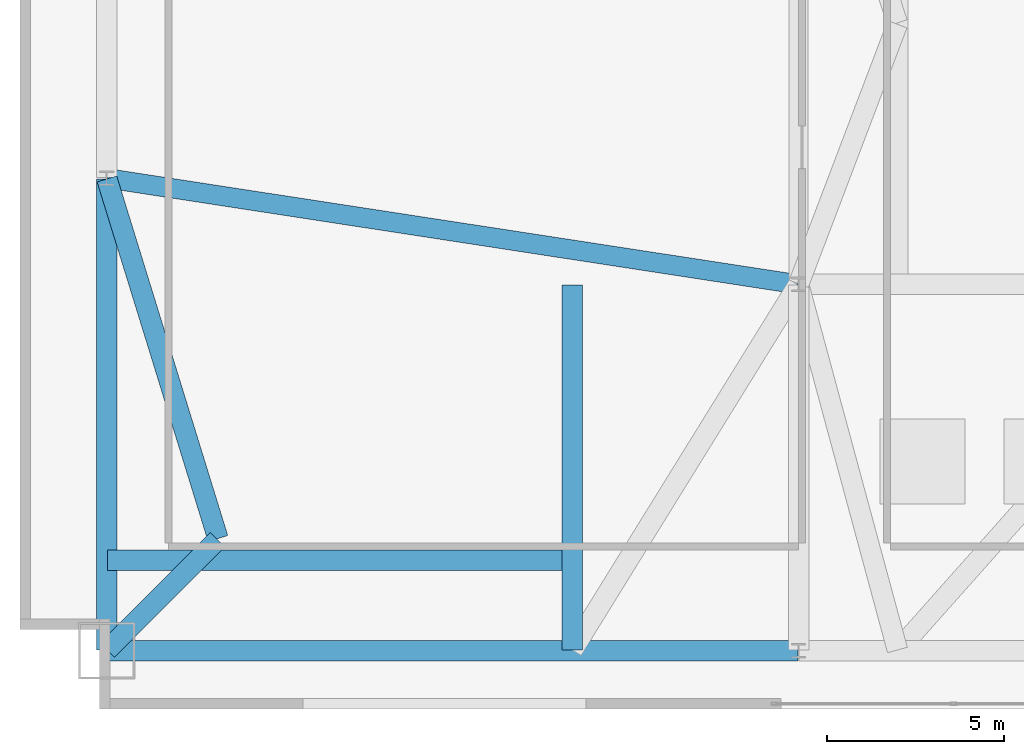
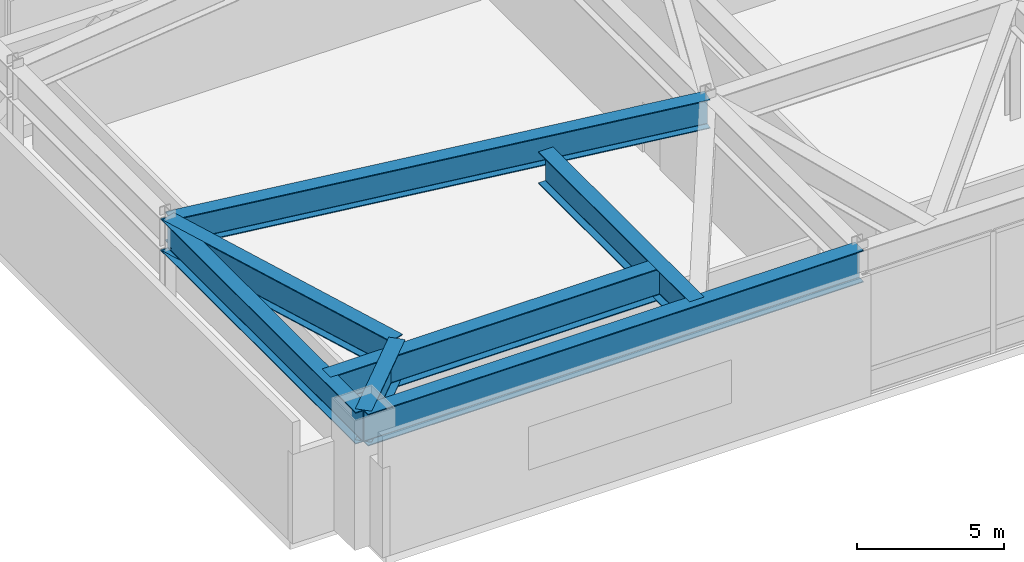
# One storey, part 3 of 16: 7 beams.
"""IFC4 building model written with IfcOpenShell, lengths in metres."""

from ifc_helpers import new_model, si_unit, direction, frame, origin, origin_2d, place, context, subcontext, project, spatial, i_section, extrude, source, transform, mapped, material, material_profile, profile_set, type_object, type_shapes, element, save


model = new_model("IFC4")

# Units and contexts
model_context = context("Model", 3, precision=1e-05, world=origin(), true_north=direction((0.0, 1.0)))
body_context = subcontext(model_context, "Body", "Model", "MODEL_VIEW")
ifc_project = project(units=[si_unit("LENGTHUNIT", "METRE"), si_unit("AREAUNIT", "SQUARE_METRE"), si_unit("VOLUMEUNIT", "CUBIC_METRE"), si_unit("PLANEANGLEUNIT", "RADIAN"), si_unit("MASSUNIT", "GRAM", prefix="KILO")], contexts=[model_context])

# Site, building, storey
site_placement = place(None, origin())
site = spatial("IfcSite", under=ifc_project, at=site_placement, CompositionType="ELEMENT")
building_placement = place(site_placement, origin())
building = spatial("IfcBuilding", under=site, at=building_placement, Name="Varnel Quay Broadcast Tower", CompositionType="ELEMENT")
storey_placement = place(building_placement, frame((0.0, 0.0, 22.199951171875)))
storey = spatial("IfcBuildingStorey", under=building, at=storey_placement, Name="L04", CompositionType="ELEMENT", Elevation=22.199951171875)

# Beams
ifc_material = material(Name="Structural Steel CSA G40.21 350WT", Category="steel")
ifc_material_profile_1 = material_profile(ifc_material, i_section(OverallWidth=0.580078125, OverallDepth=1.330078125, WebThickness=0.02197265625, FlangeThickness=0.0380859375, FilletRadius=0.02001953125, at=origin_2d()), Name="WWF1330X535")
ifc_profile_set_1 = profile_set([ifc_material_profile_1], Name="Structural Steel CSA G40.21 350WT")
beam_type_1 = type_object("IfcBeamType", Name="Girder_WWF1330X535", PredefinedType="BEAM", material=ifc_profile_set_1)
shared_shape_1 = source(origin(), body_context, "Body", "SweptSolid", [
    extrude(i_section(OverallWidth=0.580078125, OverallDepth=1.330078125, WebThickness=0.02197265625, FlangeThickness=0.0380859375, FilletRadius=0.02001953125, at=origin_2d()), origin(), (0.0, 0.0, 1.0), 19.510009765625),
])
beam_1_placement = place(storey_placement, frame((2.469970703125, 1.64990234375, 4.4150390625), z_axis=(1.0, 0.0, 0.0), x_axis=(0.0, 1.0, 0.0)))
element("IfcBeam", 1, at=beam_1_placement, inside=storey, type_object=beam_type_1, Name="L04 Primary Transfer Girder TRG-S1", PredefinedType="BEAM", context=body_context, shape_type="MappedRepresentation", body=[
    mapped(shared_shape_1, transform((0.0, 0.0, 0.0), x_axis=(1.0, 0.0, 0.0), y_axis=(0.0, 1.0, 0.0), z_axis=(0.0, 0.0, 1.0), scale=1.0)),
])
shared_shape_2 = source(origin(), body_context, "Body", "SweptSolid", [
    extrude(i_section(OverallWidth=0.580078125, OverallDepth=1.330078125, WebThickness=0.02197265625, FlangeThickness=0.0380859375, FilletRadius=0.02001953125, at=origin_2d()), origin(), (0.0, 0.0, 1.0), 13.31005859375),
])
beam_2_placement = place(storey_placement, frame((2.449951171875, 1.669921875, 4.4150390625), z_axis=(0.0, 1.0, 0.0), x_axis=(-1.0, 0.0, 0.0)))
element("IfcBeam", 2, at=beam_2_placement, inside=storey, type_object=beam_type_1, Name="L04 Primary Transfer Girder TRG-W1", PredefinedType="BEAM", context=body_context, shape_type="MappedRepresentation", body=[
    mapped(shared_shape_2, transform((0.0, 0.0, 0.0), x_axis=(1.0, 0.0, 0.0), y_axis=(0.0, 1.0, 0.0), z_axis=(0.0, 0.0, 1.0), scale=1.0)),
])
shared_shape_3 = source(origin(), body_context, "Body", "SweptSolid", [
    extrude(i_section(OverallWidth=0.580078125, OverallDepth=1.330078125, WebThickness=0.02197265625, FlangeThickness=0.0380859375, FilletRadius=0.02001953125, at=origin_2d()), origin(), (0.0, 0.0, 1.0), 13.110107421875),
])
beam_3_placement = place(storey_placement, frame((2.469970703125, 4.199951171875, 4.4150390625), z_axis=(1.0, 0.0, 0.0), x_axis=(0.0, 1.0, 0.0)))
element("IfcBeam", 3, at=beam_3_placement, inside=storey, type_object=beam_type_1, Name="L04 Transfer Girder MC-SW", PredefinedType="BEAM", context=body_context, shape_type="MappedRepresentation", body=[
    mapped(shared_shape_3, transform((0.0, 0.0, 0.0), x_axis=(1.0, 0.0, 0.0), y_axis=(0.0, 1.0, 0.0), z_axis=(0.0, 0.0, 1.0), scale=1.0)),
])
shared_shape_4 = source(origin(), body_context, "Body", "SweptSolid", [
    extrude(i_section(OverallWidth=0.580078125, OverallDepth=1.330078125, WebThickness=0.02197265625, FlangeThickness=0.0380859375, FilletRadius=0.02001953125, at=origin_2d()), origin(), (0.0, 0.0, 1.0), 10.31005859375),
])
beam_4_placement = place(storey_placement, frame((15.60009765625, 1.669921875, 4.4150390625), z_axis=(0.0, 1.0, 0.0), x_axis=(-1.0, 0.0, 0.0)))
element("IfcBeam", 4, at=beam_4_placement, inside=storey, type_object=beam_type_1, Name="L04 Transfer Header X15-S", PredefinedType="BEAM", context=body_context, shape_type="MappedRepresentation", body=[
    mapped(shared_shape_4, transform((0.0, 0.0, 0.0), x_axis=(1.0, 0.0, 0.0), y_axis=(0.0, 1.0, 0.0), z_axis=(0.0, 0.0, 1.0), scale=1.0)),
])
shared_shape_5 = source(origin(), body_context, "Body", "SweptSolid", [
    extrude(i_section(OverallWidth=0.580078125, OverallDepth=1.330078125, WebThickness=0.02197265625, FlangeThickness=0.0380859375, FilletRadius=0.02001953125, at=origin_2d()), origin(), (0.0, 0.0, 1.0), 4.4150390625),
])
beam_5_placement = place(storey_placement, frame((2.464111328125, 1.6640625, 4.4150390625), z_axis=(0.707106781187, 0.707106781187, 0.0), x_axis=(-0.707106781187, 0.707106781187, 0.0)))
element("IfcBeam", 5, at=beam_5_placement, inside=storey, type_object=beam_type_1, Name="L04 Nodal Transfer Tie MC-SW-MC-SW", PredefinedType="BEAM", context=body_context, shape_type="MappedRepresentation", body=[
    mapped(shared_shape_5, transform((0.0, 0.0, 0.0), x_axis=(1.0, 0.0, 0.0), y_axis=(0.0, 1.0, 0.0), z_axis=(0.0, 0.0, 1.0), scale=1.0)),
])
shared_shape_6 = source(origin(), body_context, "Body", "SweptSolid", [
    extrude(i_section(OverallWidth=0.580078125, OverallDepth=1.330078125, WebThickness=0.02197265625, FlangeThickness=0.0380859375, FilletRadius=0.02001953125, at=origin_2d()), origin(), (0.0, 0.0, 1.0), 10.635498046875),
])
type_shapes(beam_type_1, [shared_shape_1, shared_shape_2, shared_shape_3, shared_shape_4, shared_shape_5, shared_shape_6])
beam_6_placement = place(storey_placement, frame((2.455810546875, 14.98095703125, 4.4150390625), z_axis=(0.295069676324, -0.955475738108, 0.0), x_axis=(0.955475738108, 0.295069676324, 0.0)))
element("IfcBeam", 6, at=beam_6_placement, inside=storey, type_object=beam_type_1, Name="L04 Nodal Transfer Tie MC-SW-PC-09", PredefinedType="BEAM", context=body_context, shape_type="MappedRepresentation", body=[
    mapped(shared_shape_6, transform((0.0, 0.0, 0.0), x_axis=(1.0, 0.0, 0.0), y_axis=(0.0, 1.0, 0.0), z_axis=(0.0, 0.0, 1.0), scale=1.0)),
])
ifc_material_profile_2 = material_profile(ifc_material, i_section(OverallWidth=0.550048828125, OverallDepth=1.199951171875, WebThickness=0.02001953125, FlangeThickness=0.034912109375, FilletRadius=0.02001953125, at=origin_2d()), Name="WWF1200X487")
ifc_profile_set_2 = profile_set([ifc_material_profile_2], Name="Structural Steel CSA G40.21 350WT")
beam_type_2 = type_object("IfcBeamType", Name="Girder_WWF1200X487", PredefinedType="BEAM", material=ifc_profile_set_2)
shared_shape_7 = source(origin(), body_context, "Body", "SweptSolid", [
    extrude(i_section(OverallWidth=0.550048828125, OverallDepth=1.199951171875, WebThickness=0.02001953125, FlangeThickness=0.034912109375, FilletRadius=0.02001953125, at=origin_2d()), origin(), (0.0, 0.0, 1.0), 19.739013671875),
])
type_shapes(beam_type_2, [shared_shape_7])
beam_7_placement = place(storey_placement, frame((2.4697265625, 14.9970703125, 4.47998046875), z_axis=(0.988428537819, -0.151687262564, 0.0), x_axis=(0.151687262564, 0.988428537819, 0.0)))
element("IfcBeam", 7, at=beam_7_placement, inside=storey, type_object=beam_type_2, Name="L04 Girder G-STA1", PredefinedType="BEAM", context=body_context, shape_type="MappedRepresentation", body=[
    mapped(shared_shape_7, transform((0.0, 0.0, 0.0), x_axis=(1.0, 0.0, 0.0), y_axis=(0.0, 1.0, 0.0), z_axis=(0.0, 0.0, 1.0), scale=1.0)),
])

save(model, "model.ifc")
